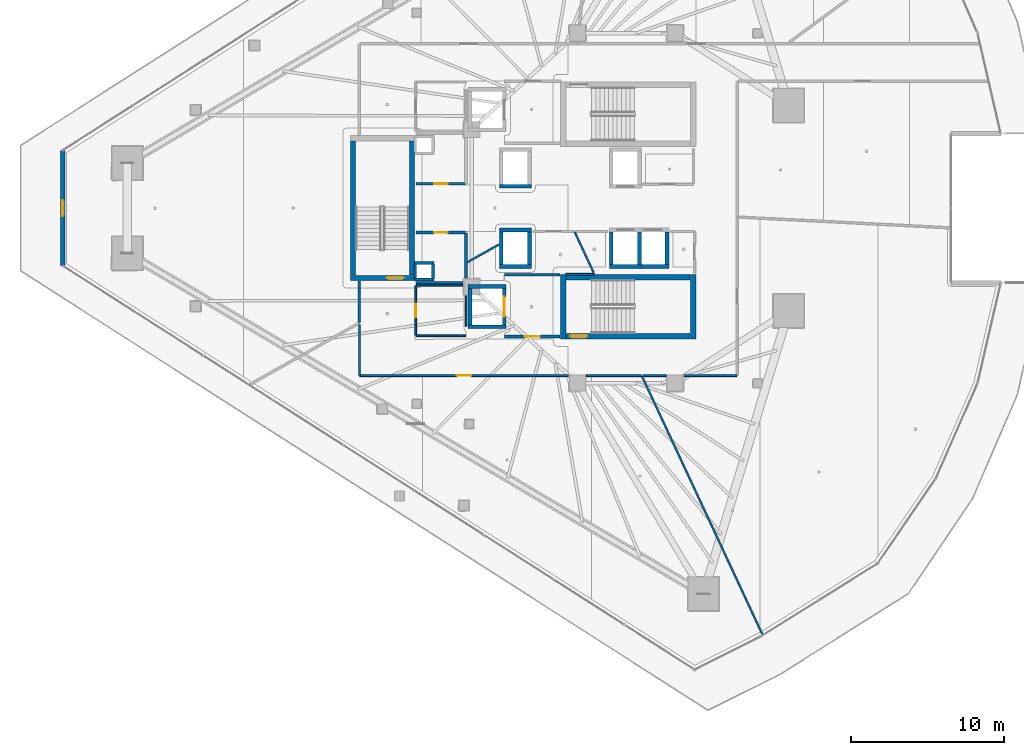
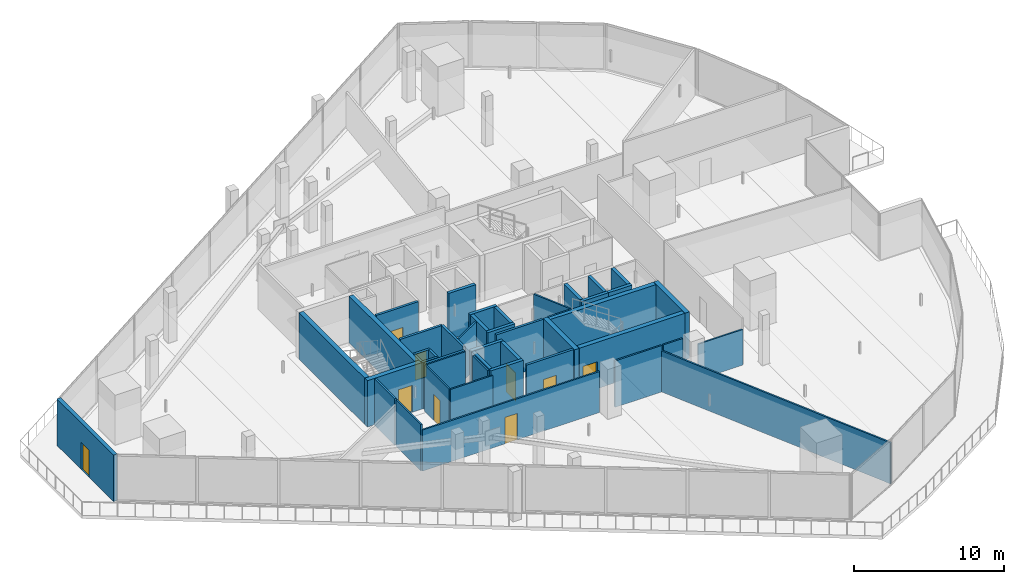
# One storey, part 29 of 40: 46 walls, 9 doors, 9 openings.
"""IFC4 building model written with IfcOpenShell, lengths in metres."""

from ifc_helpers import new_model, si_unit, direction, frame, frame_2d, origin, place, context, subcontext, project, spatial, rectangle, extrude, material, layer, layer_set, type_object, element, fill, save


model = new_model("IFC4")

# Units and contexts
model_context = context("Model", 3, precision=1e-05, world=origin(), true_north=direction((0.0, 1.0)))
body_context = subcontext(model_context, "Body", "Model", "MODEL_VIEW")
ifc_project = project(units=[si_unit("LENGTHUNIT", "METRE"), si_unit("AREAUNIT", "SQUARE_METRE"), si_unit("VOLUMEUNIT", "CUBIC_METRE"), si_unit("PLANEANGLEUNIT", "RADIAN"), si_unit("MASSUNIT", "GRAM", prefix="KILO")], contexts=[model_context])

# Site, building, storey
site_placement = place(None, origin())
site = spatial("IfcSite", under=ifc_project, at=site_placement, CompositionType="ELEMENT")
building_placement = place(site_placement, origin())
building = spatial("IfcBuilding", under=site, at=building_placement, Name="Qorvath Tower", CompositionType="ELEMENT")
storey_placement = place(building_placement, frame((0.0, 0.0, 138.14990234375)))
storey = spatial("IfcBuildingStorey", under=building, at=storey_placement, Name="L31", CompositionType="ELEMENT", Elevation=138.14990234375)

# Walls
ifc_material_1 = material(Name="Gypsum shaftliner on steel studs", Category="steel")
ifc_layer_1 = layer(ifc_material_1, 0.179931640625)
ifc_layer_set_1 = layer_set([ifc_layer_1], Name="FW-LOBBY")
wall_type_1 = type_object("IfcWallType", Name="FW-LOBBY", PredefinedType="PARTITIONING", material=ifc_layer_set_1)
for number, where, z_axis, x_axis, name in (
    (1, (-32.989990234375, -4.675048828125, 0.0), (0.0, 0.0, 1.0), (-1.0, 0.0, 0.0), "MEP Riser Shaft Enclosure Wall S-L31-S"),
    (2, (-34.260009765625, -3.594970703125, 0.0), (0.0, 0.0, 1.0), (1.0, 0.0, 0.0), "MEP Riser Shaft Enclosure Wall S-L31-N"),
):
    element("IfcWall", number, at=place(storey_placement, frame(where, z_axis=z_axis, x_axis=x_axis)), inside=storey, type_object=wall_type_1, Name=name, PredefinedType="PARTITIONING", context=body_context, shape_type="SweptSolid", body=[
        extrude(rectangle(XDim=1.27001953125, YDim=0.179931640625, at=frame_2d((0.635009765625, 0.0))), origin(), (0.0, 0.0, 1.0), 3.780029296875),
    ])
for number, where, z_axis, x_axis, name in (
    (3, (-34.205078125, -4.610107421875, 0.0), (0.0, 0.0, 1.0), (0.0, 1.0, 0.0), "MEP Riser Shaft Enclosure Wall S-L31-W"),
    (4, (-33.044921875, -3.659912109375, 0.0), (0.0, 0.0, 1.0), (0.0, -1.0, 0.0), "MEP Riser Shaft Enclosure Wall S-L31-E"),
):
    element("IfcWall", number, at=place(storey_placement, frame(where, z_axis=z_axis, x_axis=x_axis)), inside=storey, type_object=wall_type_1, Name=name, PredefinedType="PARTITIONING", context=body_context, shape_type="SweptSolid", body=[
        extrude(rectangle(XDim=0.9501953125, YDim=0.179931640625, at=frame_2d((0.47509765625, 0.0))), origin(), (0.0, 0.0, 1.0), 3.780029296875),
    ])

# Wall, opening, door
wall_1_placement = place(storey_placement, frame((-28.35498046875, -8.39990234375, 0.0), z_axis=(0.0, 0.0, 1.0), x_axis=(1.0, 0.0, 0.0)))
wall_1 = element("IfcWall", 5, at=wall_1_placement, inside=storey, type_object=wall_type_1, Name="Interior Partition IW-T1-L31-003", PredefinedType="PARTITIONING", context=body_context, shape_type="SweptSolid", body=[
    extrude(rectangle(XDim=3.6220703125, YDim=0.179931640625, at=frame_2d((1.81103515625, 0.0))), origin(), (0.0, 0.0, 1.0), 3.780029296875),
])
opening_1_placement = place(wall_1_placement, frame((1.31103515625, 0.0, 0.0)))
opening_1 = element("IfcOpeningElement", 6, at=opening_1_placement, cuts=wall_1, Name="Opening D-T1-L31-14", PredefinedType="OPENING", context=body_context, shape_type="SweptSolid", body=[
    extrude(rectangle(XDim=1.0, YDim=2.14990234375, at=frame_2d((0.5, 1.074951171875))), frame((0.0, 0.10009765625, 0.0), z_axis=(0.0, -1.0, 0.0), x_axis=(1.0, 0.0, 0.0)), (0.0, 0.0, 1.0), 0.199951171875),
])
ifc_material_2 = material(Name="Painted galvanised hollow metal", Category="steel")
door_type_1 = type_object("IfcDoorType", Name="FD-60", OperationType="NOTDEFINED", PredefinedType="DOOR", material=ifc_material_2)
door_1_placement = place(opening_1_placement, origin())
door_1 = element("IfcDoor", 7, at=door_1_placement, inside=storey, type_object=door_type_1, Name="Lobby Fire Service Elevator South Door D-T1-L31-14", OperationType="SINGLE_SWING_LEFT", OverallHeight=2.14990234375, OverallWidth=1.0, PredefinedType="DOOR", context=body_context, shape_type="SweptSolid", body=[
    extrude(rectangle(XDim=1.0, YDim=2.14990234375, at=frame_2d((0.5, 1.074951171875))), frame((0.0, 0.02490234375, 0.0), z_axis=(0.0, -1.0, 0.0), x_axis=(1.0, 0.0, 0.0)), (0.0, 0.0, 1.0), 0.050048828125),
])
fill(opening_1, door_1)

# Wall
wall_2_placement = place(storey_placement, frame((-24.73291015625, -4.35009765625, 0.0), z_axis=(0.0, 0.0, 1.0), x_axis=(-1.0, 0.0, 0.0)))
element("IfcWall", 8, at=wall_2_placement, inside=storey, type_object=wall_type_1, Name="Interior Partition IW-T1-L31-004", PredefinedType="PARTITIONING", context=body_context, shape_type="SweptSolid", body=[
    extrude(rectangle(XDim=3.6220703125, YDim=0.179931640625, at=frame_2d((1.81103515625, 0.0))), origin(), (0.0, 0.0, 1.0), 3.780029296875),
])

# Wall, opening, door
wall_3_placement = place(storey_placement, frame((-34.15478515625, 1.60009765625, 0.0), z_axis=(0.0, 0.0, 1.0), x_axis=(1.0, 0.0, 0.0)))
wall_3 = element("IfcWall", 9, at=wall_3_placement, inside=storey, type_object=wall_type_1, Name="Interior Partition IW-T1-L31-015", PredefinedType="PARTITIONING", context=body_context, shape_type="SweptSolid", body=[
    extrude(rectangle(XDim=3.25, YDim=0.179931640625, at=frame_2d((1.625, 0.0))), origin(), (0.0, 0.0, 1.0), 3.780029296875),
])
opening_2_placement = place(wall_3_placement, frame((1.18505859375, 0.0, 0.0)))
opening_2 = element("IfcOpeningElement", 10, at=opening_2_placement, cuts=wall_3, Name="Opening D-T1-L31-04", PredefinedType="OPENING", context=body_context, shape_type="SweptSolid", body=[
    extrude(rectangle(XDim=0.8798828125, YDim=2.10009765625, at=frame_2d((0.43994140625, 1.050048828125))), frame((0.0, 0.10009765625, 0.0), z_axis=(0.0, -1.0, 0.0), x_axis=(1.0, 0.0, 0.0)), (0.0, 0.0, 1.0), 0.199951171875),
])
ifc_material_3 = material(Name="Painted galvanised hollow metal", Category="steel")
door_type_2 = type_object("IfcDoorType", Name="FD-60N", OperationType="NOTDEFINED", PredefinedType="DOOR", material=ifc_material_3)
door_2_placement = place(opening_2_placement, origin())
door_2 = element("IfcDoor", 11, at=door_2_placement, inside=storey, type_object=door_type_2, Name="Core cleaner and custodial room L31 Door D-T1-L31-04", OperationType="SINGLE_SWING_LEFT", OverallHeight=2.10009765625, OverallWidth=0.8798828125, PredefinedType="DOOR", context=body_context, shape_type="SweptSolid", body=[
    extrude(rectangle(XDim=0.8798828125, YDim=2.10009765625, at=frame_2d((0.43994140625, 1.050048828125))), frame((0.0, 0.02490234375, 0.0), z_axis=(0.0, -1.0, 0.0), x_axis=(1.0, 0.0, 0.0)), (0.0, 0.0, 1.0), 0.050048828125),
])
fill(opening_2, door_2)

# Walls
wall_4_placement = place(storey_placement, frame((-34.15478515625, -4.89990234375, 0.0), z_axis=(0.0, 0.0, 1.0), x_axis=(1.0, 0.0, 0.0)))
element("IfcWall", 12, at=wall_4_placement, inside=storey, type_object=wall_type_1, Name="Interior Partition IW-T1-L31-018", PredefinedType="PARTITIONING", context=body_context, shape_type="SweptSolid", body=[
    extrude(rectangle(XDim=3.064697265625, YDim=0.179931640625, at=frame_2d((1.5322265625, 0.0))), origin(), (0.0, 0.0, 1.0), 3.780029296875),
])
wall_5_placement = place(storey_placement, frame((-30.8798828125, -4.56005859375, 0.0), z_axis=(0.0, 0.0, 1.0), x_axis=(0.0, 1.0, 0.0)))
element("IfcWall", 13, at=wall_5_placement, inside=storey, type_object=wall_type_1, Name="Interior Partition IW-T1-L31-019", PredefinedType="PARTITIONING", context=body_context, shape_type="SweptSolid", body=[
    extrude(rectangle(XDim=2.93505859375, YDim=0.179931640625, at=frame_2d((1.467529296875, 0.0))), origin(), (0.0, 0.0, 1.0), 3.780029296875),
])

# Wall, opening, door
wall_6_placement = place(storey_placement, frame((-30.90478515625, -1.60009765625, 0.0), z_axis=(0.0, 0.0, 1.0), x_axis=(-1.0, 0.0, 0.0)))
wall_6 = element("IfcWall", 14, at=wall_6_placement, inside=storey, type_object=wall_type_1, Name="Interior Partition IW-T1-L31-020", PredefinedType="PARTITIONING", context=body_context, shape_type="SweptSolid", body=[
    extrude(rectangle(XDim=3.25, YDim=0.179931640625, at=frame_2d((1.625, 0.0))), origin(), (0.0, 0.0, 1.0), 3.780029296875),
])
opening_3_placement = place(wall_6_placement, frame((1.18505859375, 0.0, 0.0)))
opening_3 = element("IfcOpeningElement", 15, at=opening_3_placement, cuts=wall_6, Name="Opening D-T1-L31-05", PredefinedType="OPENING", context=body_context, shape_type="SweptSolid", body=[
    extrude(rectangle(XDim=0.8798828125, YDim=2.10009765625, at=frame_2d((0.43994140625, 1.050048828125))), frame((0.0, 0.10009765625, 0.0), z_axis=(0.0, -1.0, 0.0), x_axis=(1.0, 0.0, 0.0)), (0.0, 0.0, 1.0), 0.199951171875),
])
door_3_placement = place(opening_3_placement, origin())
door_3 = element("IfcDoor", 16, at=door_3_placement, inside=storey, type_object=door_type_2, Name="Core electrical room L31 Door D-T1-L31-05", OperationType="SINGLE_SWING_RIGHT", OverallHeight=2.10009765625, OverallWidth=0.8798828125, PredefinedType="DOOR", context=body_context, shape_type="SweptSolid", body=[
    extrude(rectangle(XDim=0.8798828125, YDim=2.10009765625, at=frame_2d((0.43994140625, 1.050048828125))), frame((0.0, 0.02490234375, 0.0), z_axis=(0.0, -1.0, 0.0), x_axis=(1.0, 0.0, 0.0)), (0.0, 0.0, 1.0), 0.050048828125),
])
fill(opening_3, door_3)

# Wall
ifc_material_4 = material(Name="Double acoustic gypsum board on steel studs", Category="steel")
ifc_layer_2 = layer(ifc_material_4, 0.159912109375)
ifc_layer_set_2 = layer_set([ifc_layer_2], Name="IW-ACOUSTIC-160")
wall_type_2 = type_object("IfcWallType", Name="IW-ACOUSTIC-160", PredefinedType="PARTITIONING", material=ifc_layer_set_2)
wall_7_placement = place(storey_placement, frame((-37.85791015625, -7.48388671875, 0.0), z_axis=(0.0, 0.0, 1.0), x_axis=(0.0, 1.0, 0.0)))
element("IfcWall", 17, at=wall_7_placement, inside=storey, type_object=wall_type_2, Name="Interior Partition IW-T1-L31-021", PredefinedType="PARTITIONING", context=body_context, shape_type="SweptSolid", body=[
    extrude(rectangle(XDim=2.70068359375, YDim=0.159912109375, at=frame_2d((1.350341796875, 0.0))), origin(), (0.0, 0.0, 1.0), 3.780029296875),
])

# Wall, opening, door
ifc_material_5 = material(Name="Gypsum board on metal studs with mineral wool", Category="gypsum")
ifc_layer_3 = layer(ifc_material_5, 0.125)
ifc_layer_set_3 = layer_set([ifc_layer_3], Name="IW-PART-125")
wall_type_3 = type_object("IfcWallType", Name="IW-PART-125", PredefinedType="PARTITIONING", material=ifc_layer_set_3)
wall_8_placement = place(storey_placement, frame((-24.18994140625, -10.9580078125, 0.0), z_axis=(0.0, 0.0, 1.0), x_axis=(-1.0, 0.0, 0.0)))
wall_8 = element("IfcWall", 18, at=wall_8_placement, inside=storey, type_object=wall_type_3, Name="Interior Partition IW-T1-L31-026", PredefinedType="PARTITIONING", context=body_context, shape_type="SweptSolid", body=[
    extrude(rectangle(XDim=13.64306640625, YDim=0.125, at=frame_2d((6.821533203125, 0.0))), origin(), (0.0, 0.0, 1.0), 3.34375),
])
opening_4_placement = place(wall_8_placement, frame((6.346435546875, 0.0, 0.0)))
opening_4 = element("IfcOpeningElement", 19, at=opening_4_placement, cuts=wall_8, Name="Opening D-T1-L31-07", PredefinedType="OPENING", context=body_context, shape_type="SweptSolid", body=[
    extrude(rectangle(XDim=0.949951171875, YDim=2.14990234375, at=frame_2d((0.47509765625, 1.074951171875))), frame((0.0, 0.072509765625, 0.0), z_axis=(0.0, -1.0, 0.0), x_axis=(1.0, 0.0, 0.0)), (0.0, 0.0, 1.0), 0.14501953125),
])
ifc_material_6 = material(Name="Solid-core American white oak veneer", Category="wood")
door_type_3 = type_object("IfcDoorType", Name="D-01", OperationType="NOTDEFINED", PredefinedType="DOOR", material=ifc_material_6)
door_4_placement = place(opening_4_placement, origin())
door_4 = element("IfcDoor", 20, at=door_4_placement, inside=storey, type_object=door_type_3, Name="L31-02 Project Collaboration Workspace Door D-T1-L31-07", OperationType="SINGLE_SWING_RIGHT", OverallHeight=2.14990234375, OverallWidth=0.949951171875, PredefinedType="DOOR", context=body_context, shape_type="SweptSolid", body=[
    extrude(rectangle(XDim=0.949951171875, YDim=2.14990234375, at=frame_2d((0.47509765625, 1.074951171875))), frame((0.0, 0.02490234375, 0.0), z_axis=(0.0, -1.0, 0.0), x_axis=(1.0, 0.0, 0.0)), (0.0, 0.0, 1.0), 0.050048828125),
])
fill(opening_4, door_4)

# Walls
wall_9_placement = place(storey_placement, frame((-37.85791015625, -7.631591796875, 0.0), z_axis=(0.0, 0.0, 1.0), x_axis=(0.0, -1.0, 0.0)))
element("IfcWall", 21, at=wall_9_placement, inside=storey, type_object=wall_type_3, Name="Interior Partition IW-T1-L31-027", PredefinedType="PARTITIONING", context=body_context, shape_type="SweptSolid", body=[
    extrude(rectangle(XDim=3.301513671875, YDim=0.125, at=frame_2d((1.65087890625, 0.0))), origin(), (0.0, 0.0, 1.0), 3.780029296875),
])
wall_10_placement = place(storey_placement, frame((-11.495849609375, -27.8818359375, 0.0), z_axis=(0.0, 0.0, 1.0), x_axis=(-0.422692669293, 0.906273086507, 0.0)))
element("IfcWall", 22, at=wall_10_placement, inside=storey, type_object=wall_type_3, Name="Interior Partition IW-T1-L31-028", PredefinedType="PARTITIONING", context=body_context, shape_type="SweptSolid", body=[
    extrude(rectangle(XDim=18.64892578125, YDim=0.125, at=frame_2d((9.324462890625, 0.0))), origin(), (0.0, 0.0, 1.0), 3.34375),
])
wall_11_placement = place(storey_placement, frame((-19.414306640625, -10.9580078125, 0.0), z_axis=(0.0, 0.0, 1.0), x_axis=(-1.0, 0.0, 0.0)))
element("IfcWall", 23, at=wall_11_placement, inside=storey, type_object=wall_type_3, Name="Interior Partition IW-T1-L31-029", PredefinedType="PARTITIONING", context=body_context, shape_type="SweptSolid", body=[
    extrude(rectangle(XDim=3.595703125, YDim=0.125, at=frame_2d((1.7978515625, 0.0))), origin(), (0.0, 0.0, 1.0), 3.780029296875),
])
wall_12_placement = place(storey_placement, frame((-28.73193359375, -2.37890625, 0.0), z_axis=(0.0, 0.0, 1.0), x_axis=(-0.871711937641, -0.490018670842, 0.0)))
element("IfcWall", 24, at=wall_12_placement, inside=storey, type_object=wall_type_3, Name="Interior Partition IW-T1-L31-031", PredefinedType="PARTITIONING", context=body_context, shape_type="SweptSolid", body=[
    extrude(rectangle(XDim=2.341552734375, YDim=0.125, at=frame_2d((1.1708984375, 0.0))), origin(), (0.0, 0.0, 1.0), 3.780029296875),
])
wall_13_placement = place(storey_placement, frame((-24.360107421875, -4.335205078125, 0.0), z_axis=(0.0, 0.0, 1.0), x_axis=(0.999998537438, 0.001710298775, 0.0)))
element("IfcWall", 25, at=wall_13_placement, inside=storey, type_object=wall_type_3, Name="Interior Partition IW-T1-L31-032", PredefinedType="PARTITIONING", context=body_context, shape_type="SweptSolid", body=[
    extrude(rectangle(XDim=1.855712890625, YDim=0.125, at=frame_2d((0.927734375, 0.0))), origin(), (0.0, 0.0, 1.0), 3.780029296875),
])
wall_14_placement = place(storey_placement, frame((-22.52978515625, -4.224365234375, 0.0), z_axis=(0.0, 0.0, 1.0), x_axis=(-0.422717831819, 0.906261350088, 0.0)))
element("IfcWall", 26, at=wall_14_placement, inside=storey, type_object=wall_type_3, Name="Interior Partition IW-T1-L31-033", PredefinedType="PARTITIONING", context=body_context, shape_type="SweptSolid", body=[
    extrude(rectangle(XDim=2.9501953125, YDim=0.125, at=frame_2d((1.47509765625, 0.0))), origin(), (0.0, 0.0, 1.0), 3.780029296875),
])
wall_15_placement = place(storey_placement, frame((-17.7900390625, -10.9580078125, 0.0), z_axis=(0.0, 0.0, 1.0), x_axis=(-1.0, 0.0, 0.0)))
element("IfcWall", 27, at=wall_15_placement, inside=storey, type_object=wall_type_3, Name="Interior Partition IW-T1-L31-034", PredefinedType="PARTITIONING", context=body_context, shape_type="SweptSolid", body=[
    extrude(rectangle(XDim=1.48046875, YDim=0.125, at=frame_2d((0.740234375, 0.0))), origin(), (0.0, 0.0, 1.0), 3.780029296875),
])
wall_16_placement = place(storey_placement, frame((-13.1669921875, -10.9580078125, 0.0), z_axis=(0.0, 0.0, 1.0), x_axis=(-1.0, 0.0, 0.0)))
element("IfcWall", 28, at=wall_16_placement, inside=storey, type_object=wall_type_3, Name="Interior Partition IW-T1-L31-037", PredefinedType="PARTITIONING", context=body_context, shape_type="SweptSolid", body=[
    extrude(rectangle(XDim=3.443115234375, YDim=0.125, at=frame_2d((1.7216796875, 0.0))), origin(), (0.0, 0.0, 1.0), 2.89501953125),
])
ifc_material_7 = material(Name="Moisture-resistant cement board on metal studs", Category="gypsum")
ifc_layer_4 = layer(ifc_material_7, 0.110107421875)
ifc_layer_set_4 = layer_set([ifc_layer_4], Name="IW-WC-110")
wall_type_4 = type_object("IfcWallType", Name="IW-WC-110", PredefinedType="PARTITIONING", material=ifc_layer_set_4)
wall_17_placement = place(storey_placement, frame((-34.15478515625, -8.35009765625, 0.0), z_axis=(0.0, 0.0, 1.0), x_axis=(1.0, 0.0, 0.0)))
element("IfcWall", 29, at=wall_17_placement, inside=storey, type_object=wall_type_4, Name="Interior Partition IW-T1-L31-009", PredefinedType="PARTITIONING", context=body_context, shape_type="SweptSolid", body=[
    extrude(rectangle(XDim=3.25, YDim=0.110107421875, at=frame_2d((1.625, 0.0))), origin(), (0.0, 0.0, 1.0), 3.780029296875),
])
wall_18_placement = place(storey_placement, frame((-30.8798828125, -7.742919921875, 0.0), z_axis=(0.0, 0.0, 1.0), x_axis=(0.0, 1.0, 0.0)))
element("IfcWall", 30, at=wall_18_placement, inside=storey, type_object=wall_type_4, Name="Interior Partition IW-T1-L31-010", PredefinedType="PARTITIONING", context=body_context, shape_type="SweptSolid", body=[
    extrude(rectangle(XDim=2.0029296875, YDim=0.110107421875, at=frame_2d((1.00146484375, 0.0))), origin(), (0.0, 0.0, 1.0), 3.780029296875),
])
wall_19_placement = place(storey_placement, frame((-31.090087890625, -5.050048828125, 0.0), z_axis=(0.0, 0.0, 1.0), x_axis=(-1.0, 0.0, 0.0)))
element("IfcWall", 31, at=wall_19_placement, inside=storey, type_object=wall_type_4, Name="Interior Partition IW-T1-L31-011", PredefinedType="PARTITIONING", context=body_context, shape_type="SweptSolid", body=[
    extrude(rectangle(XDim=3.064697265625, YDim=0.110107421875, at=frame_2d((1.5322265625, 0.0))), origin(), (0.0, 0.0, 1.0), 3.780029296875),
])

# Wall, opening, door
wall_20_placement = place(storey_placement, frame((-34.179931640625, -5.074951171875, 0.0), z_axis=(0.0, 0.0, 1.0), x_axis=(0.0, -1.0, 0.0)))
wall_20 = element("IfcWall", 32, at=wall_20_placement, inside=storey, type_object=wall_type_4, Name="Interior Partition IW-T1-L31-012", PredefinedType="PARTITIONING", context=body_context, shape_type="SweptSolid", body=[
    extrude(rectangle(XDim=3.250244140625, YDim=0.110107421875, at=frame_2d((1.625, 0.0))), origin(), (0.0, 0.0, 1.0), 3.780029296875),
])
opening_5_placement = place(wall_20_placement, frame((1.18505859375, 0.0, 0.0)))
opening_5 = element("IfcOpeningElement", 33, at=opening_5_placement, cuts=wall_20, Name="Opening D-T1-L31-02", PredefinedType="OPENING", context=body_context, shape_type="SweptSolid", body=[
    extrude(rectangle(XDim=0.8798828125, YDim=2.10009765625, at=frame_2d((0.43994140625, 1.050048828125))), frame((0.0, 0.06494140625, 0.0), z_axis=(0.0, -1.0, 0.0), x_axis=(1.0, 0.0, 0.0)), (0.0, 0.0, 1.0), 0.130126953125),
])
ifc_material_8 = material(Name="Solid-core oak with acoustic drop seal", Category="wood")
door_type_4 = type_object("IfcDoorType", Name="D-02", OperationType="NOTDEFINED", PredefinedType="DOOR", material=ifc_material_8)
door_5_placement = place(opening_5_placement, origin())
door_5 = element("IfcDoor", 34, at=door_5_placement, inside=storey, type_object=door_type_4, Name="Accessible WC South L31 Door D-T1-L31-02", OperationType="SINGLE_SWING_LEFT", OverallHeight=2.10009765625, OverallWidth=0.8798828125, PredefinedType="DOOR", context=body_context, shape_type="SweptSolid", body=[
    extrude(rectangle(XDim=0.8798828125, YDim=2.10009765625, at=frame_2d((0.43994140625, 1.050048828125))), frame((0.0, 0.02490234375, 0.0), z_axis=(0.0, -1.0, 0.0), x_axis=(1.0, 0.0, 0.0)), (0.0, 0.0, 1.0), 0.050048828125),
])
fill(opening_5, door_5)

# Walls
ifc_material_9 = material(Name="Concrete C60/75", Category="concrete")
ifc_layer_5 = layer(ifc_material_9, 0.260009765625)
ifc_layer_set_5 = layer_set([ifc_layer_5], Name="SW-SHAFT")
wall_type_5 = type_object("IfcWallType", Name="SW-SHAFT", PredefinedType="SHEAR", material=ifc_layer_set_5)
for number, where, z_axis, x_axis, name in (
    (35, (-28.260009765625, -7.77001953125, 0.0), (0.0, 0.0, 1.0), (-1.0, 0.0, 0.0), "Hoistway Wall FSAE-2 L31 S"),
    (36, (-30.739990234375, -5.1298828125, 0.0), (0.0, 0.0, 1.0), (1.0, 0.0, 0.0), "Hoistway Wall FSAE-2 L31 N"),
):
    element("IfcWall", number, at=place(storey_placement, frame(where, z_axis=z_axis, x_axis=x_axis)), inside=storey, type_object=wall_type_5, Name=name, PredefinedType="SHEAR", context=body_context, shape_type="SweptSolid", body=[
        extrude(rectangle(XDim=2.47998046875, YDim=0.239990234375, at=frame_2d((1.239990234375, 0.0))), origin(), (0.0, 0.0, 1.0), 3.780029296875),
    ])
wall_21_placement = place(storey_placement, frame((-30.6201171875, -7.637939453125, 0.0), z_axis=(0.0, 0.0, 1.0), x_axis=(0.0, 1.0, 0.0)))
element("IfcWall", 37, at=wall_21_placement, inside=storey, type_object=wall_type_5, Name="Hoistway Wall FSAE-2 L31 W", PredefinedType="SHEAR", context=body_context, shape_type="SweptSolid", body=[
    extrude(rectangle(XDim=2.3759765625, YDim=0.239990234375, at=frame_2d((1.18798828125, 0.0))), origin(), (0.0, 0.0, 1.0), 3.780029296875),
])

# Wall, opening, door
wall_22_placement = place(storey_placement, frame((-28.3798828125, -5.261962890625, 0.0), z_axis=(0.0, 0.0, 1.0), x_axis=(0.0, -1.0, 0.0)))
wall_22 = element("IfcWall", 38, at=wall_22_placement, inside=storey, type_object=wall_type_5, Name="Hoistway Wall FSAE-2 L31 E", PredefinedType="SHEAR", context=body_context, shape_type="SweptSolid", body=[
    extrude(rectangle(XDim=2.3759765625, YDim=0.239990234375, at=frame_2d((1.18798828125, 0.0))), origin(), (0.0, 0.0, 1.0), 3.780029296875),
])
opening_6_placement = place(wall_22_placement, frame((0.5380859375, 0.0, 0.0)))
opening_6 = element("IfcOpeningElement", 39, at=opening_6_placement, cuts=wall_22, Name="Opening LD-FSAE-2-L31", PredefinedType="OPENING", context=body_context, shape_type="SweptSolid", body=[
    extrude(rectangle(XDim=1.300048828125, YDim=2.300048828125, at=frame_2d((0.64990234375, 1.14990234375))), frame((0.0, 0.1298828125, 0.0), z_axis=(0.0, -1.0, 0.0), x_axis=(1.0, 0.0, 0.0)), (0.0, 0.0, 1.0), 0.260009765625),
])
ifc_material_10 = material(Name="Brushed stainless steel AISI 316", Category="steel")
door_type_5 = type_object("IfcDoorType", Name="LD-02", OperationType="NOTDEFINED", PredefinedType="DOOR", material=ifc_material_10)
door_6_placement = place(opening_6_placement, origin())
door_6 = element("IfcDoor", 40, at=door_6_placement, inside=storey, type_object=door_type_5, Name="Elevator Landing Sliding Door LD-FSAE-2-L31", OperationType="DOUBLE_DOOR_SLIDING", OverallHeight=2.300048828125, OverallWidth=1.300048828125, PredefinedType="DOOR", context=body_context, shape_type="SweptSolid", body=[
    extrude(rectangle(XDim=1.300048828125, YDim=2.300048828125, at=frame_2d((0.64990234375, 1.14990234375))), frame((0.0, 0.02490234375, 0.0), z_axis=(0.0, -1.0, 0.0), x_axis=(1.0, 0.0, 0.0)), (0.0, 0.0, 1.0), 0.050048828125),
])
fill(opening_6, door_6)

# Walls
for number, where, z_axis, x_axis, name in (
    (41, (-26.610107421875, 1.429931640625, 0.0), (0.0, 0.0, 1.0), (-1.0, 0.0, 0.0), "Hoistway Wall PS-1 L31 S"),
    (42, (-26.610107421875, -3.820068359375, 0.0), (0.0, 0.0, 1.0), (-1.0, 0.0, 0.0), "Hoistway Wall PS-2 L31 S"),
    (43, (-28.68994140625, -1.429931640625, 0.0), (0.0, 0.0, 1.0), (1.0, 0.0, 0.0), "Hoistway Wall PS-2 L31 N"),
):
    element("IfcWall", number, at=place(storey_placement, frame(where, z_axis=z_axis, x_axis=x_axis)), inside=storey, type_object=wall_type_5, Name=name, PredefinedType="SHEAR", context=body_context, shape_type="SweptSolid", body=[
        extrude(rectangle(XDim=2.079833984375, YDim=0.239990234375, at=frame_2d((1.0400390625, 0.0))), origin(), (0.0, 0.0, 1.0), 3.780029296875),
    ])
for number, where, z_axis, x_axis, name in (
    (44, (-28.570068359375, -3.68798828125, 0.0), (0.0, 0.0, 1.0), (0.0, 1.0, 0.0), "Hoistway Wall PS-2 L31 W"),
    (45, (-26.72998046875, -1.56201171875, 0.0), (0.0, 0.0, 1.0), (0.0, -1.0, 0.0), "Hoistway Wall PS-2 L31 E"),
):
    element("IfcWall", number, at=place(storey_placement, frame(where, z_axis=z_axis, x_axis=x_axis)), inside=storey, type_object=wall_type_5, Name=name, PredefinedType="SHEAR", context=body_context, shape_type="SweptSolid", body=[
        extrude(rectangle(XDim=2.1259765625, YDim=0.239990234375, at=frame_2d((1.06298828125, 0.0))), origin(), (0.0, 0.0, 1.0), 3.780029296875),
    ])
wall_23_placement = place(storey_placement, frame((-19.409912109375, -3.820068359375, 0.0), z_axis=(0.0, 0.0, 1.0), x_axis=(-1.0, 0.0, 0.0)))
element("IfcWall", 46, at=wall_23_placement, inside=storey, type_object=wall_type_5, Name="Hoistway Wall PM-2 L31 S", PredefinedType="SHEAR", context=body_context, shape_type="SweptSolid", body=[
    extrude(rectangle(XDim=2.080078125, YDim=0.239990234375, at=frame_2d((1.0400390625, 0.0))), origin(), (0.0, 0.0, 1.0), 3.780029296875),
])
for number, where, z_axis, x_axis, name in (
    (47, (-21.3701171875, -3.68798828125, 0.0), (0.0, 0.0, 1.0), (0.0, 1.0, 0.0), "Hoistway Wall PM-2 L31 W"),
    (48, (-19.530029296875, -1.56201171875, 0.0), (0.0, 0.0, 1.0), (0.0, -1.0, 0.0), "Hoistway Wall PM-2 L31 E"),
):
    element("IfcWall", number, at=place(storey_placement, frame(where, z_axis=z_axis, x_axis=x_axis)), inside=storey, type_object=wall_type_5, Name=name, PredefinedType="SHEAR", context=body_context, shape_type="SweptSolid", body=[
        extrude(rectangle(XDim=2.1259765625, YDim=0.239990234375, at=frame_2d((1.06298828125, 0.0))), origin(), (0.0, 0.0, 1.0), 3.780029296875),
    ])
wall_24_placement = place(storey_placement, frame((-17.610107421875, -3.820068359375, 0.0), z_axis=(0.0, 0.0, 1.0), x_axis=(-1.0, 0.0, 0.0)))
element("IfcWall", 49, at=wall_24_placement, inside=storey, type_object=wall_type_5, Name="Hoistway Wall PM-3 L31 S", PredefinedType="SHEAR", context=body_context, shape_type="SweptSolid", body=[
    extrude(rectangle(XDim=1.7998046875, YDim=0.239990234375, at=frame_2d((0.89990234375, 0.0))), origin(), (0.0, 0.0, 1.0), 3.780029296875),
])
wall_25_placement = place(storey_placement, frame((-17.72998046875, -1.56201171875, 0.0), z_axis=(0.0, 0.0, 1.0), x_axis=(0.0, -1.0, 0.0)))
element("IfcWall", 50, at=wall_25_placement, inside=storey, type_object=wall_type_5, Name="Hoistway Wall PM-3 L31 E", PredefinedType="SHEAR", context=body_context, shape_type="SweptSolid", body=[
    extrude(rectangle(XDim=2.1259765625, YDim=0.239990234375, at=frame_2d((1.06298828125, 0.0))), origin(), (0.0, 0.0, 1.0), 3.780029296875),
])
ifc_material_11 = material(Name="Concrete C60/75", Category="concrete")
ifc_layer_6 = layer(ifc_material_11, 0.35009765625)
ifc_layer_set_6 = layer_set([ifc_layer_6], Name="SW-STAIR")
wall_type_6 = type_object("IfcWallType", Name="SW-STAIR", PredefinedType="SHEAR", material=ifc_layer_set_6)
for number, where, z_axis, x_axis, name in (
    (51, (-24.52490234375, -4.340087890625, 0.0), (0.0, 0.0, 1.0), (0.0, -1.0, 0.0), "Stair TS2 Shear Wall L31 NEAR"),
    (52, (-16.02490234375, -8.550048828125, 0.0), (0.0, 0.0, 1.0), (0.0, 1.0, 0.0), "Stair TS2 Shear Wall L31 FAR"),
):
    element("IfcWall", number, at=place(storey_placement, frame(where, z_axis=z_axis, x_axis=x_axis)), inside=storey, type_object=wall_type_6, Name=name, PredefinedType="SHEAR", context=body_context, shape_type="SweptSolid", body=[
        extrude(rectangle(XDim=4.2099609375, YDim=0.35009765625, at=frame_2d((2.10498046875, 0.0))), origin(), (0.0, 0.0, 1.0), 3.780029296875),
    ])

# Wall, opening, door
wall_26_placement = place(storey_placement, frame((-24.3349609375, -8.375, 0.0), z_axis=(0.0, 0.0, 1.0), x_axis=(1.0, 0.0, 0.0)))
wall_26 = element("IfcWall", 53, at=wall_26_placement, inside=storey, type_object=wall_type_6, Name="Stair TS2 Shear Wall L31 LEFT", PredefinedType="SHEAR", context=body_context, shape_type="SweptSolid", body=[
    extrude(rectangle(XDim=8.119873046875, YDim=0.35009765625, at=frame_2d((4.06005859375, 0.0))), origin(), (0.0, 0.0, 1.0), 3.780029296875),
])
opening_7_placement = place(wall_26_placement, frame((0.280029296875, 0.0, 0.0)))
opening_7 = element("IfcOpeningElement", 54, at=opening_7_placement, cuts=wall_26, Name="Opening D-TS2-L31", PredefinedType="OPENING", context=body_context, shape_type="SweptSolid", body=[
    extrude(rectangle(XDim=1.10009765625, YDim=2.199951171875, at=frame_2d((0.550048828125, 1.10009765625))), frame((0.0, 0.18505859375, 0.0), z_axis=(0.0, -1.0, 0.0), x_axis=(1.0, 0.0, 0.0)), (0.0, 0.0, 1.0), 0.3701171875),
])
ifc_material_12 = material(Name="Painted galvanised hollow metal", Category="steel")
door_type_6 = type_object("IfcDoorType", Name="FD-90", OperationType="NOTDEFINED", PredefinedType="DOOR", material=ifc_material_12)
door_7_placement = place(opening_7_placement, origin())
door_7 = element("IfcDoor", 55, at=door_7_placement, inside=storey, type_object=door_type_6, Name="Stair TS2 Fire Door L31", OperationType="SINGLE_SWING_RIGHT", OverallHeight=2.199951171875, OverallWidth=1.10009765625, PredefinedType="DOOR", context=body_context, shape_type="SweptSolid", body=[
    extrude(rectangle(XDim=1.10009765625, YDim=2.199951171875, at=frame_2d((0.550048828125, 1.10009765625))), frame((0.0, 0.02490234375, 0.0), z_axis=(0.0, -1.0, 0.0), x_axis=(1.0, 0.0, 0.0)), (0.0, 0.0, 1.0), 0.050048828125),
])
fill(opening_7, door_7)

# Wall
wall_27_placement = place(storey_placement, frame((-16.215087890625, -4.514892578125, 0.0), z_axis=(0.0, 0.0, 1.0), x_axis=(-1.0, 0.0, 0.0)))
element("IfcWall", 56, at=wall_27_placement, inside=storey, type_object=wall_type_6, Name="Stair TS2 Shear Wall L31 RIGHT", PredefinedType="SHEAR", context=body_context, shape_type="SweptSolid", body=[
    extrude(rectangle(XDim=8.119873046875, YDim=0.35009765625, at=frame_2d((4.06005859375, 0.0))), origin(), (0.0, 0.0, 1.0), 3.780029296875),
])

# Wall, opening, door
wall_28_placement = place(storey_placement, frame((-38.4599609375, -4.574951171875, 0.0), z_axis=(0.0, 0.0, 1.0), x_axis=(1.0, 0.0, 0.0)))
wall_28 = element("IfcWall", 57, at=wall_28_placement, inside=storey, type_object=wall_type_6, Name="Stair TS3 Shear Wall L31 NEAR", PredefinedType="SHEAR", context=body_context, shape_type="SweptSolid", body=[
    extrude(rectangle(XDim=4.2099609375, YDim=0.35009765625, at=frame_2d((2.10498046875, 0.0))), origin(), (0.0, 0.0, 1.0), 3.780029296875),
])
opening_8_placement = place(wall_28_placement, frame((2.389892578125, 0.0, 0.0)))
opening_8 = element("IfcOpeningElement", 58, at=opening_8_placement, cuts=wall_28, Name="Opening D-TS3-L31", PredefinedType="OPENING", context=body_context, shape_type="SweptSolid", body=[
    extrude(rectangle(XDim=1.10009765625, YDim=2.199951171875, at=frame_2d((0.550048828125, 1.10009765625))), frame((0.0, 0.18505859375, 0.0), z_axis=(0.0, -1.0, 0.0), x_axis=(1.0, 0.0, 0.0)), (0.0, 0.0, 1.0), 0.3701171875),
])
door_8_placement = place(opening_8_placement, origin())
door_8 = element("IfcDoor", 59, at=door_8_placement, inside=storey, type_object=door_type_6, Name="Stair TS3 Fire Door L31", OperationType="SINGLE_SWING_RIGHT", OverallHeight=2.199951171875, OverallWidth=1.10009765625, PredefinedType="DOOR", context=body_context, shape_type="SweptSolid", body=[
    extrude(rectangle(XDim=1.10009765625, YDim=2.199951171875, at=frame_2d((0.550048828125, 1.10009765625))), frame((0.0, 0.02490234375, 0.0), z_axis=(0.0, -1.0, 0.0), x_axis=(1.0, 0.0, 0.0)), (0.0, 0.0, 1.0), 0.050048828125),
])
fill(opening_8, door_8)

# Walls
for number, where, z_axis, x_axis, name in (
    (60, (-34.425048828125, -4.385009765625, 0.0), (0.0, 0.0, 1.0), (0.0, 1.0, 0.0), "Stair TS3 Shear Wall L31 LEFT"),
    (61, (-38.284912109375, 4.385009765625, 0.0), (0.0, 0.0, 1.0), (0.0, -1.0, 0.0), "Stair TS3 Shear Wall L31 RIGHT"),
):
    element("IfcWall", number, at=place(storey_placement, frame(where, z_axis=z_axis, x_axis=x_axis)), inside=storey, type_object=wall_type_6, Name=name, PredefinedType="SHEAR", context=body_context, shape_type="SweptSolid", body=[
        extrude(rectangle(XDim=8.77001953125, YDim=0.35009765625, at=frame_2d((4.385009765625, 0.0))), origin(), (0.0, 0.0, 1.0), 3.780029296875),
    ])

# Wall, opening, door
ifc_material_13 = material(Name="Precast concrete C45/55", Category="concrete")
ifc_layer_7 = layer(ifc_material_13, 0.300048828125)
ifc_layer_set_7 = layer_set([ifc_layer_7], Name="WL-EW-LOG-300")
wall_type_7 = type_object("IfcWallType", Name="WL-EW-LOG-300", PredefinedType="SOLIDWALL", material=ifc_layer_set_7)
wall_29_placement = place(storey_placement, frame((-57.286376953125, -3.77587890625, 0.0), z_axis=(0.0, 0.0, 1.0), x_axis=(0.0, 1.0, 0.0)))
wall_29 = element("IfcWall", 62, at=wall_29_placement, inside=storey, type_object=wall_type_7, Name="Tower Precast Loggia Wall L31-1.1", PredefinedType="SOLIDWALL", context=body_context, shape_type="SweptSolid", body=[
    extrude(rectangle(XDim=7.5517578125, YDim=0.300048828125, at=frame_2d((3.77587890625, 0.0))), origin(), (0.0, 0.0, 1.0), 3.780029296875),
])
opening_9_placement = place(wall_29_placement, frame((3.2509765625, 0.0, 0.0)))
opening_9 = element("IfcOpeningElement", 63, at=opening_9_placement, cuts=wall_29, Name="Opening ED-L31-01", PredefinedType="OPENING", context=body_context, shape_type="SweptSolid", body=[
    extrude(rectangle(XDim=1.050048828125, YDim=2.199951171875, at=frame_2d((0.52490234375, 1.10009765625))), frame((0.0, 0.16015625, 0.0), z_axis=(0.0, -1.0, 0.0), x_axis=(1.0, 0.0, 0.0)), (0.0, 0.0, 1.0), 0.320068359375),
])
ifc_material_14 = material(Name="Thermally broken aluminium glazed door", Category="aluminium")
door_type_7 = type_object("IfcDoorType", Name="ED-LOG", OperationType="NOTDEFINED", PredefinedType="DOOR", material=ifc_material_14)
door_9_placement = place(opening_9_placement, origin())
door_9 = element("IfcDoor", 64, at=door_9_placement, inside=storey, type_object=door_type_7, Name="L31 Recessed Loggia Access Door 1", OperationType="SINGLE_SWING_LEFT", OverallHeight=2.199951171875, OverallWidth=1.050048828125, PredefinedType="DOOR", context=body_context, shape_type="SweptSolid", body=[
    extrude(rectangle(XDim=1.050048828125, YDim=2.199951171875, at=frame_2d((0.52490234375, 1.10009765625))), frame((0.0, 0.02490234375, 0.0), z_axis=(0.0, -1.0, 0.0), x_axis=(1.0, 0.0, 0.0)), (0.0, 0.0, 1.0), 0.050048828125),
])
fill(opening_9, door_9)

save(model, "model.ifc")
